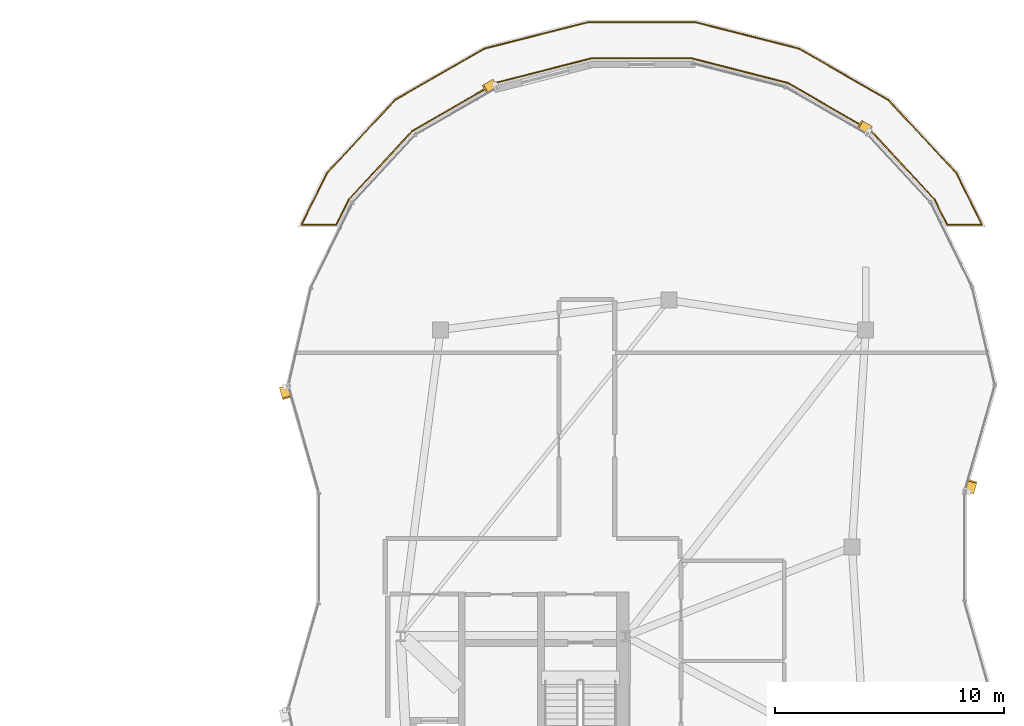
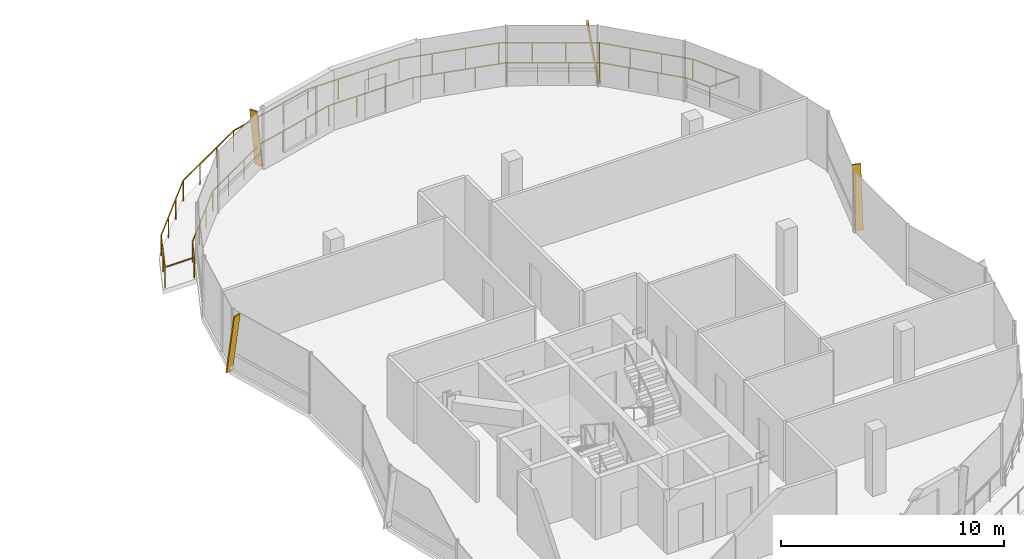
# One storey, part 20 of 20: 10 railings, 4 shading devices.
"""IFC4 building model written with IfcOpenShell, lengths in metres."""

import ifcopenshell
import ifcopenshell.guid

model = None  # the IFC model being written
_history = None  # IfcOwnerHistory: only IFC2X3 demands one
_inside = {}  # id of a spatial element -> (the spatial element, [elements in it])
_under = {}  # id of a project, library or spatial element -> (it, [spatial elements below it])
_declared = {}  # id of a project -> (the project, [libraries it declares])
_typed = {}  # id of a type object -> (the type object, [elements of that type])
_made_of = {}  # id of a material, layer set ... -> (it, [elements and type objects made of it])


def new_model(schema):
    """Start an empty IFC model of exactly this schema.

    Asked for "IFC4X3", IfcOpenShell would pick the latest addendum, in which some entities
    have other attributes; the version numbers below select the first issue.
    IFC2X3 requires an IfcOwnerHistory on every rooted entity: one is made here for all.
    """
    global model, _history
    if schema == "IFC4X3":
        model = ifcopenshell.file(schema_version=(4, 3, 0, 0))
    else:
        model = ifcopenshell.file(schema=schema)
    _inside.clear()
    _under.clear()
    _declared.clear()
    _typed.clear()
    _made_of.clear()
    _history = None
    if model.schema == "IFC2X3":
        org = make("IfcOrganization", Name="unknown")
        user = make(
            "IfcPersonAndOrganization",
            ThePerson=make("IfcPerson", FamilyName="unknown"),
            TheOrganization=org,
        )
        app = make(
            "IfcApplication",
            ApplicationDeveloper=org,
            Version="unknown",
            ApplicationFullName="unknown",
            ApplicationIdentifier="unknown",
        )
        _history = make(
            "IfcOwnerHistory",
            OwningUser=user,
            OwningApplication=app,
            ChangeAction="ADDED",
            CreationDate=0,
        )
    return model


def make(cls, **values):
    """One entity of the class cls with the attributes given. An attribute that is None is left unset."""
    return model.create_entity(
        cls, **{name: value for name, value in values.items() if value is not None}
    )


def rooted(cls, **values):
    """An entity with a GlobalId (a new one), such as an element, a storey or a relation."""
    return make(cls, GlobalId=ifcopenshell.guid.new(), OwnerHistory=_history, **values)


def si_unit(unit_type, name, prefix=None):
    """IfcSIUnit, for example si_unit("LENGTHUNIT", "METRE", prefix="MILLI")."""
    return make("IfcSIUnit", UnitType=unit_type, Prefix=prefix, Name=name)


def assignment(units):
    """IfcUnitAssignment: the units of a project."""
    return None if units is None else make("IfcUnitAssignment", Units=units)


def point(xyz):
    """IfcCartesianPoint."""
    return None if xyz is None else make("IfcCartesianPoint", Coordinates=xyz)


def direction(xyz):
    """IfcDirection."""
    return None if xyz is None else make("IfcDirection", DirectionRatios=xyz)


def frame(location, z_axis=None, x_axis=None):
    """IfcAxis2Placement3D, a coordinate frame: its origin and axes. An axis left out is left unset."""
    return make(
        "IfcAxis2Placement3D",
        Location=point(location),
        Axis=direction(z_axis),
        RefDirection=direction(x_axis),
    )


def frame_2d(location, x_axis=None):
    """IfcAxis2Placement2D, a coordinate frame in the plane: its origin and x axis."""
    return make(
        "IfcAxis2Placement2D", Location=point(location), RefDirection=direction(x_axis)
    )


def origin():
    """The frame at (0, 0, 0) with its axes left unset."""
    return frame((0.0, 0.0, 0.0))


def origin_2d():
    """The frame at (0, 0) in the plane with its x axis left unset."""
    return frame_2d((0.0, 0.0))


def place(relative_to, where):
    """IfcLocalPlacement: puts the frame where relative to a parent placement (None: the world)."""
    return make(
        "IfcLocalPlacement", PlacementRelTo=relative_to, RelativePlacement=where
    )


def context(
    kind, dimensions, precision=None, world=None, true_north=None, identifier=None
):
    """IfcGeometricRepresentationContext, for example the 3D "Model" context."""
    return make(
        "IfcGeometricRepresentationContext",
        ContextIdentifier=identifier,
        ContextType=kind,
        CoordinateSpaceDimension=dimensions,
        Precision=precision,
        WorldCoordinateSystem=world,
        TrueNorth=true_north,
    )


def subcontext(parent, identifier, kind, view, scale=None):
    """IfcGeometricRepresentationSubContext, for example "Body" below "Model"."""
    return make(
        "IfcGeometricRepresentationSubContext",
        ContextIdentifier=identifier,
        ContextType=kind,
        ParentContext=parent,
        TargetScale=scale,
        TargetView=view,
    )


def project(units=None, contexts=None):
    """IfcProject with its units and contexts."""
    return rooted(
        "IfcProject",
        Name="project",
        RepresentationContexts=contexts,
        UnitsInContext=assignment(units),
    )


def spatial(cls, under=None, at=None, **own):
    """A site, building, storey or space (cls), placed at a placement, below another one or the project."""
    s = rooted(cls, ObjectPlacement=at, **own)
    if under is not None:
        _under.setdefault(under.id(), (under, []))[1].append(s)
    return s


def profile(cls, at=None, kind="AREA", **sizes):
    """A parametric profile (cls). Its sizes go by their IFC names, for example OverallWidth=200.0."""
    return make(cls, ProfileType=kind, Position=at, **sizes)


def rectangle(**sizes):
    """IfcRectangleProfileDef."""
    return profile("IfcRectangleProfileDef", **sizes)


def extrude(swept, where, along, depth):
    """IfcExtrudedAreaSolid: the profile swept, set in the frame where, extruded along a direction by depth."""
    return make(
        "IfcExtrudedAreaSolid",
        SweptArea=swept,
        Position=where,
        ExtrudedDirection=direction(along),
        Depth=depth,
    )


def shape(context_of_items, identifier, shape_type, items):
    """IfcShapeRepresentation: the items that make up one representation, for example the "Body"."""
    return make(
        "IfcShapeRepresentation",
        ContextOfItems=context_of_items,
        RepresentationIdentifier=identifier,
        RepresentationType=shape_type,
        Items=items,
    )


def material(Name=None, Category=None):
    """IfcMaterial."""
    return make("IfcMaterial", Name=Name, Category=Category)


def material_profile(
    of_material, cross_section, Name=None, Category=None, Priority=None
):
    """IfcMaterialProfile: a cross section and its material."""
    return make(
        "IfcMaterialProfile",
        Name=Name,
        Material=of_material,
        Profile=cross_section,
        Priority=Priority,
        Category=Category,
    )


def profile_set(profiles, Name=None, composite=None):
    """IfcMaterialProfileSet."""
    return make(
        "IfcMaterialProfileSet",
        Name=Name,
        MaterialProfiles=profiles,
        CompositeProfile=composite,
    )


def made_of(thing, what):
    """Note that an element or type object is made of a material, layer set ...; save() writes the relation."""
    if what is not None:
        _made_of.setdefault(what.id(), (what, []))[1].append(thing)
    return thing


def type_object(cls, material=None, **own):
    """A type object (cls), such as IfcWallType, which elements share."""
    return made_of(rooted(cls, **own), material)


def element(
    cls,
    number,
    at=None,
    inside=None,
    cuts=None,
    type_object=None,
    material=None,
    context=None,
    identifier="Body",
    shape_type=None,
    held_by="IfcProductDefinitionShape",
    body=None,
    shapes=None,
    **own,
):
    """One element of the class cls, such as IfcWall. Its Tag is "e" and its number.

    at: its placement. inside: the storey or other place that contains it. cuts: it is an
    opening in that element (IfcRelVoidsElement). A single representation is given by context,
    identifier, shape_type and body (its items); several are given by shapes. held_by: the class
    of the entity that holds the representations. save() writes the other relations.
    """
    e = rooted(cls, Tag="e%d" % number, ObjectPlacement=at, **own)
    if body is not None:
        shapes = [shape(context, identifier, shape_type, body)]
    if shapes is not None:
        e.Representation = make(held_by, Representations=shapes)
    if inside is not None:
        _inside.setdefault(inside.id(), (inside, []))[1].append(e)
    if cuts is not None:
        rooted(
            "IfcRelVoidsElement", RelatingBuildingElement=cuts, RelatedOpeningElement=e
        )
    if type_object is not None:
        _typed.setdefault(type_object.id(), (type_object, []))[1].append(e)
    return made_of(e, material)


def aggregate(whole, parts):
    """IfcRelAggregates: a whole, such as a stair, and the parts it consists of."""
    return rooted("IfcRelAggregates", RelatingObject=whole, RelatedObjects=parts)


def save(model, path):
    """Write the relations noted so far, then the file.

    IfcRelAggregates (storeys below a building ...), IfcRelContainedInSpatialStructure (elements
    in a storey), IfcRelDefinesByType, IfcRelAssociatesMaterial and IfcRelDeclares: one each for
    every whole, place, type object, material and project.
    """
    for whole, parts in _under.values():
        aggregate(whole, parts)
    for where, things in _inside.values():
        rooted(
            "IfcRelContainedInSpatialStructure",
            RelatedElements=things,
            RelatingStructure=where,
        )
    for kind, things in _typed.values():
        rooted("IfcRelDefinesByType", RelatedObjects=things, RelatingType=kind)
    for what, things in _made_of.values():
        rooted("IfcRelAssociatesMaterial", RelatedObjects=things, RelatingMaterial=what)
    for by, libraries in _declared.values():
        rooted("IfcRelDeclares", RelatingContext=by, RelatedDefinitions=libraries)
    model.write(path)


model = new_model("IFC4")

# Units and contexts
model_context = context("Model", 3, precision=1e-05, world=origin(), true_north=direction((0.0, 1.0)))
body_context = subcontext(model_context, "Body", "Model", "MODEL_VIEW")
ifc_project = project(units=[si_unit("LENGTHUNIT", "METRE"), si_unit("AREAUNIT", "SQUARE_METRE"), si_unit("VOLUMEUNIT", "CUBIC_METRE"), si_unit("PLANEANGLEUNIT", "RADIAN"), si_unit("MASSUNIT", "GRAM", prefix="KILO"), si_unit("THERMODYNAMICTEMPERATUREUNIT", "KELVIN"), si_unit("POWERUNIT", "WATT")], contexts=[model_context])

# Site, building, storey
site_placement = place(None, origin())
site = spatial("IfcSite", under=ifc_project, at=site_placement, CompositionType="ELEMENT")
building_placement = place(site_placement, origin())
building = spatial("IfcBuilding", under=site, at=building_placement, Name="Cundina Bronze Exchange", CompositionType="ELEMENT")
storey_placement = place(building_placement, frame((0.0, 0.0, 279.199951171875)))
storey = spatial("IfcBuildingStorey", under=building, at=storey_placement, Name="L74", CompositionType="ELEMENT", Elevation=279.199951171875)

# Railings
ifc_material = material(Name="Anodised Bronze Aluminium 6063-T6", Category="aluminium")
railing_type = type_object("IfcRailingType", Name="RLG-GRD-1150", PredefinedType="GUARDRAIL", material=ifc_material)
railing_1_placement = place(storey_placement, frame((18.224365234375, 16.34765625, 0.0)))
element("IfcRailing", 1, at=railing_1_placement, inside=storey, type_object=railing_type, Name="L74 Perimeter Safety Guardrail 01", PredefinedType="GUARDRAIL", context=body_context, shape_type="SweptSolid", body=[
    extrude(rectangle(XDim=0.048095703125, YDim=0.048095703125, at=origin_2d()), frame((0.0, 0.0, 1.1259765625), z_axis=(0.6814708466, 0.731845260444, 0.0), x_axis=(-0.731845260444, 0.6814708466, 0.0)), (0.0, 0.0, 1.0), 4.395751953125),
    extrude(rectangle(XDim=0.048095703125, YDim=0.048095703125, at=origin_2d()), frame((2.99560546875, 3.217041015625, 1.1259765625), z_axis=(0.867447732917, 0.497528321462, 0.0), x_axis=(-0.497528321462, 0.867447732917, 0.0)), (0.0, 0.0, 1.0), 4.501708984375),
    extrude(rectangle(XDim=0.0419921875, YDim=0.0419921875, at=origin_2d()), origin(), (0.0, 0.0, 1.0), 1.101806640625),
    extrude(rectangle(XDim=0.0419921875, YDim=0.0419921875, at=origin_2d()), frame((0.99853515625, 1.072265625, 0.0)), (0.0, 0.0, 1.0), 1.101806640625),
    extrude(rectangle(XDim=0.0419921875, YDim=0.0419921875, at=origin_2d()), frame((1.9970703125, 2.144775390625, 0.0)), (0.0, 0.0, 1.0), 1.101806640625),
    extrude(rectangle(XDim=0.0419921875, YDim=0.0419921875, at=origin_2d()), frame((2.99560546875, 3.217041015625, 0.0)), (0.0, 0.0, 1.0), 1.101806640625),
    extrude(rectangle(XDim=0.0419921875, YDim=0.0419921875, at=origin_2d()), frame((4.29736328125, 3.963623046875, 0.0)), (0.0, 0.0, 1.0), 1.101806640625),
    extrude(rectangle(XDim=0.0419921875, YDim=0.0419921875, at=origin_2d()), frame((5.598876953125, 4.710205078125, 0.0)), (0.0, 0.0, 1.0), 1.101806640625),
    extrude(rectangle(XDim=0.0419921875, YDim=0.0419921875, at=origin_2d()), frame((6.900634765625, 5.456787109375, 0.0)), (0.0, 0.0, 1.0), 1.101806640625),
])
railing_2_placement = place(storey_placement, frame((25.125, 21.804443359375, 0.0)))
element("IfcRailing", 2, at=railing_2_placement, inside=storey, type_object=railing_type, Name="L74 Perimeter Safety Guardrail 02", PredefinedType="GUARDRAIL", context=body_context, shape_type="SweptSolid", body=[
    extrude(rectangle(XDim=0.048095703125, YDim=0.048095703125, at=origin_2d()), frame((0.0, 0.0, 1.1259765625), z_axis=(0.969056834208, 0.246837703916, 0.0), x_axis=(-0.246837703916, 0.969056834208, 0.0)), (0.0, 0.0, 1.0), 4.657470703125),
    extrude(rectangle(XDim=0.048095703125, YDim=0.048095703125, at=origin_2d()), frame((4.513427734375, 1.149658203125, 1.1259765625), z_axis=(1.0, 0.0, 0.0), x_axis=(0.0, 1.0, 0.0)), (0.0, 0.0, 1.0), 4.72314453125),
    extrude(rectangle(XDim=0.0419921875, YDim=0.0419921875, at=origin_2d()), origin(), (0.0, 0.0, 1.0), 1.101806640625),
    extrude(rectangle(XDim=0.0419921875, YDim=0.0419921875, at=origin_2d()), frame((1.50439453125, 0.38330078125, 0.0)), (0.0, 0.0, 1.0), 1.101806640625),
    extrude(rectangle(XDim=0.0419921875, YDim=0.0419921875, at=origin_2d()), frame((3.009033203125, 0.766357421875, 0.0)), (0.0, 0.0, 1.0), 1.101806640625),
    extrude(rectangle(XDim=0.0419921875, YDim=0.0419921875, at=origin_2d()), frame((4.513427734375, 1.149658203125, 0.0)), (0.0, 0.0, 1.0), 1.101806640625),
    extrude(rectangle(XDim=0.0419921875, YDim=0.0419921875, at=origin_2d()), frame((6.087890625, 1.149658203125, 0.0)), (0.0, 0.0, 1.0), 1.101806640625),
    extrude(rectangle(XDim=0.0419921875, YDim=0.0419921875, at=origin_2d()), frame((7.662109375, 1.149658203125, 0.0)), (0.0, 0.0, 1.0), 1.101806640625),
    extrude(rectangle(XDim=0.0419921875, YDim=0.0419921875, at=origin_2d()), frame((9.236572265625, 1.149658203125, 0.0)), (0.0, 0.0, 1.0), 1.101806640625),
])
railing_3_placement = place(storey_placement, frame((34.361572265625, 22.9541015625, 0.0)))
element("IfcRailing", 3, at=railing_3_placement, inside=storey, type_object=railing_type, Name="L74 Perimeter Safety Guardrail 03", PredefinedType="GUARDRAIL", context=body_context, shape_type="SweptSolid", body=[
    extrude(rectangle(XDim=0.048095703125, YDim=0.048095703125, at=origin_2d()), frame((0.0, 0.0, 1.1259765625), z_axis=(0.969056834208, -0.246837703916, 0.0), x_axis=(0.246837703916, 0.969056834208, 0.0)), (0.0, 0.0, 1.0), 4.657470703125),
    extrude(rectangle(XDim=0.048095703125, YDim=0.048095703125, at=origin_2d()), frame((4.513427734375, -1.149658203125, 1.1259765625), z_axis=(0.867447732917, -0.497528321462, 0.0), x_axis=(0.497528321462, 0.867447732917, 0.0)), (0.0, 0.0, 1.0), 4.501708984375),
    extrude(rectangle(XDim=0.0419921875, YDim=0.0419921875, at=origin_2d()), origin(), (0.0, 0.0, 1.0), 1.101806640625),
    extrude(rectangle(XDim=0.0419921875, YDim=0.0419921875, at=origin_2d()), frame((1.50439453125, -0.38330078125, 0.0)), (0.0, 0.0, 1.0), 1.101806640625),
    extrude(rectangle(XDim=0.0419921875, YDim=0.0419921875, at=origin_2d()), frame((3.009033203125, -0.766357421875, 0.0)), (0.0, 0.0, 1.0), 1.101806640625),
    extrude(rectangle(XDim=0.0419921875, YDim=0.0419921875, at=origin_2d()), frame((4.513427734375, -1.149658203125, 0.0)), (0.0, 0.0, 1.0), 1.101806640625),
    extrude(rectangle(XDim=0.0419921875, YDim=0.0419921875, at=origin_2d()), frame((5.815185546875, -1.896240234375, 0.0)), (0.0, 0.0, 1.0), 1.101806640625),
    extrude(rectangle(XDim=0.0419921875, YDim=0.0419921875, at=origin_2d()), frame((7.11669921875, -2.642822265625, 0.0)), (0.0, 0.0, 1.0), 1.101806640625),
    extrude(rectangle(XDim=0.0419921875, YDim=0.0419921875, at=origin_2d()), frame((8.41845703125, -3.389404296875, 0.0)), (0.0, 0.0, 1.0), 1.101806640625),
])
railing_4_placement = place(storey_placement, frame((42.780029296875, 19.564697265625, 0.0)))
element("IfcRailing", 4, at=railing_4_placement, inside=storey, type_object=railing_type, Name="L74 Perimeter Safety Guardrail 04", PredefinedType="GUARDRAIL", context=body_context, shape_type="SweptSolid", body=[
    extrude(rectangle(XDim=0.048095703125, YDim=0.048095703125, at=origin_2d()), frame((0.0, 0.0, 1.1259765625), z_axis=(0.6814708466, -0.731845260444, 0.0), x_axis=(0.731845260444, 0.6814708466, 0.0)), (0.0, 0.0, 1.0), 4.395751953125),
    extrude(rectangle(XDim=0.048095703125, YDim=0.048095703125, at=origin_2d()), frame((2.99560546875, -3.217041015625, 1.1259765625), z_axis=(0.439469116008, -0.898257700259, 0.0), x_axis=(0.898257700259, 0.439469116008, 0.0)), (0.0, 0.0, 1.0), 2.502197265625),
    extrude(rectangle(XDim=0.0419921875, YDim=0.0419921875, at=origin_2d()), origin(), (0.0, 0.0, 1.0), 1.101806640625),
    extrude(rectangle(XDim=0.0419921875, YDim=0.0419921875, at=origin_2d()), frame((0.99853515625, -1.072265625, 0.0)), (0.0, 0.0, 1.0), 1.101806640625),
    extrude(rectangle(XDim=0.0419921875, YDim=0.0419921875, at=origin_2d()), frame((1.9970703125, -2.144775390625, 0.0)), (0.0, 0.0, 1.0), 1.101806640625),
    extrude(rectangle(XDim=0.0419921875, YDim=0.0419921875, at=origin_2d()), frame((2.99560546875, -3.217041015625, 0.0)), (0.0, 0.0, 1.0), 1.101806640625),
    extrude(rectangle(XDim=0.0419921875, YDim=0.0419921875, at=origin_2d()), frame((3.54541015625, -4.3408203125, 0.0)), (0.0, 0.0, 1.0), 1.101806640625),
    extrude(rectangle(XDim=0.0419921875, YDim=0.0419921875, at=origin_2d()), frame((4.09521484375, -5.464599609375, 0.0)), (0.0, 0.0, 1.0), 1.101806640625),
])
railing_5_placement = place(storey_placement, frame((46.875244140625, 14.10009765625, 0.0)))
element("IfcRailing", 5, at=railing_5_placement, inside=storey, type_object=railing_type, Name="L74 Perimeter Safety Guardrail 05", PredefinedType="GUARDRAIL", context=body_context, shape_type="SweptSolid", body=[
    extrude(rectangle(XDim=0.048095703125, YDim=0.048095703125, at=origin_2d()), frame((0.0, 0.0, 1.1259765625), z_axis=(-1.0, 0.0, 0.0), x_axis=(0.0, -1.0, 0.0)), (0.0, 0.0, 1.0), 1.5185546875),
    extrude(rectangle(XDim=0.048095703125, YDim=0.048095703125, at=origin_2d()), frame((-1.5185546875, 0.0, 1.1259765625), z_axis=(-0.441657034824, 0.89718396307, 0.0), x_axis=(-0.89718396307, -0.441657034824, 0.0)), (0.0, 0.0, 1.0), 1.232177734375),
    extrude(rectangle(XDim=0.0419921875, YDim=0.0419921875, at=origin_2d()), origin(), (0.0, 0.0, 1.0), 1.101806640625),
    extrude(rectangle(XDim=0.0419921875, YDim=0.0419921875, at=origin_2d()), frame((-1.5185546875, 0.0, 0.0)), (0.0, 0.0, 1.0), 1.101806640625),
    extrude(rectangle(XDim=0.0419921875, YDim=0.0419921875, at=origin_2d()), frame((-2.062744140625, 1.10546875, 0.0)), (0.0, 0.0, 1.0), 1.101806640625),
])
railing_6_placement = place(storey_placement, frame((44.8125, 15.20556640625, 0.0)))
element("IfcRailing", 6, at=railing_6_placement, inside=storey, type_object=railing_type, Name="L74 Perimeter Safety Guardrail 06", PredefinedType="GUARDRAIL", context=body_context, shape_type="SweptSolid", body=[
    extrude(rectangle(XDim=0.048095703125, YDim=0.048095703125, at=origin_2d()), frame((0.0, 0.0, 1.1259765625), z_axis=(-0.680512906309, 0.732736094611, 0.0), x_axis=(-0.732736094611, -0.680512906309, 0.0)), (0.0, 0.0, 1.0), 4.090576171875),
    extrude(rectangle(XDim=0.048095703125, YDim=0.048095703125, at=origin_2d()), frame((-2.78369140625, 2.997314453125, 1.1259765625), z_axis=(-0.866055627774, 0.49994764686, 0.0), x_axis=(-0.49994764686, -0.866055627774, 0.0)), (0.0, 0.0, 1.0), 4.19189453125),
    extrude(rectangle(XDim=0.0419921875, YDim=0.0419921875, at=origin_2d()), origin(), (0.0, 0.0, 1.0), 1.101806640625),
    extrude(rectangle(XDim=0.0419921875, YDim=0.0419921875, at=origin_2d()), frame((-0.927978515625, 0.9990234375, 0.0)), (0.0, 0.0, 1.0), 1.101806640625),
    extrude(rectangle(XDim=0.0419921875, YDim=0.0419921875, at=origin_2d()), frame((-1.855712890625, 1.998291015625, 0.0)), (0.0, 0.0, 1.0), 1.101806640625),
    extrude(rectangle(XDim=0.0419921875, YDim=0.0419921875, at=origin_2d()), frame((-2.78369140625, 2.997314453125, 0.0)), (0.0, 0.0, 1.0), 1.101806640625),
    extrude(rectangle(XDim=0.0419921875, YDim=0.0419921875, at=origin_2d()), frame((-3.993896484375, 3.69580078125, 0.0)), (0.0, 0.0, 1.0), 1.101806640625),
    extrude(rectangle(XDim=0.0419921875, YDim=0.0419921875, at=origin_2d()), frame((-5.203857421875, 4.39453125, 0.0)), (0.0, 0.0, 1.0), 1.101806640625),
    extrude(rectangle(XDim=0.0419921875, YDim=0.0419921875, at=origin_2d()), frame((-6.4140625, 5.093017578125, 0.0)), (0.0, 0.0, 1.0), 1.101806640625),
])
railing_7_placement = place(storey_placement, frame((38.3984375, 20.298583984375, 0.0)))
element("IfcRailing", 7, at=railing_7_placement, inside=storey, type_object=railing_type, Name="L74 Perimeter Safety Guardrail 07", PredefinedType="GUARDRAIL", context=body_context, shape_type="SweptSolid", body=[
    extrude(rectangle(XDim=0.048095703125, YDim=0.048095703125, at=origin_2d()), frame((0.0, 0.0, 1.1259765625), z_axis=(-0.968635825171, 0.248484684025, 0.0), x_axis=(-0.248484684025, -0.968635825171, 0.0)), (0.0, 0.0, 1.0), 4.3515625),
    extrude(rectangle(XDim=0.048095703125, YDim=0.048095703125, at=origin_2d()), frame((-4.215087890625, 1.081298828125, 1.1259765625), z_axis=(-0.999999985988, -0.00016740137, 0.0), x_axis=(0.00016740137, -0.999999985988, 0.0)), (0.0, 0.0, 1.0), 4.375244140625),
    extrude(rectangle(XDim=0.0419921875, YDim=0.0419921875, at=origin_2d()), origin(), (0.0, 0.0, 1.0), 1.101806640625),
    extrude(rectangle(XDim=0.0419921875, YDim=0.0419921875, at=origin_2d()), frame((-1.405029296875, 0.3603515625, 0.0)), (0.0, 0.0, 1.0), 1.101806640625),
    extrude(rectangle(XDim=0.0419921875, YDim=0.0419921875, at=origin_2d()), frame((-2.81005859375, 0.720947265625, 0.0)), (0.0, 0.0, 1.0), 1.101806640625),
    extrude(rectangle(XDim=0.0419921875, YDim=0.0419921875, at=origin_2d()), frame((-4.215087890625, 1.081298828125, 0.0)), (0.0, 0.0, 1.0), 1.101806640625),
    extrude(rectangle(XDim=0.0419921875, YDim=0.0419921875, at=origin_2d()), frame((-5.673583984375, 1.0810546875, 0.0)), (0.0, 0.0, 1.0), 1.101806640625),
    extrude(rectangle(XDim=0.0419921875, YDim=0.0419921875, at=origin_2d()), frame((-7.1318359375, 1.080810546875, 0.0)), (0.0, 0.0, 1.0), 1.101806640625),
    extrude(rectangle(XDim=0.0419921875, YDim=0.0419921875, at=origin_2d()), frame((-8.59033203125, 1.08056640625, 0.0)), (0.0, 0.0, 1.0), 1.101806640625),
])
railing_8_placement = place(storey_placement, frame((29.80810546875, 21.379150390625, 0.0)))
element("IfcRailing", 8, at=railing_8_placement, inside=storey, type_object=railing_type, Name="L74 Perimeter Safety Guardrail 08", PredefinedType="GUARDRAIL", context=body_context, shape_type="SweptSolid", body=[
    extrude(rectangle(XDim=0.048095703125, YDim=0.048095703125, at=origin_2d()), frame((0.0, 0.0, 1.1259765625), z_axis=(-0.968729595543, -0.248118864093, 0.0), x_axis=(0.248118864093, -0.968729595543, 0.0)), (0.0, 0.0, 1.0), 4.328369140625),
    extrude(rectangle(XDim=0.048095703125, YDim=0.048095703125, at=origin_2d()), frame((-4.193115234375, -1.073974609375, 1.1259765625), z_axis=(-0.86617495788, -0.499740875196, 0.0), x_axis=(0.499740875196, -0.86617495788, 0.0)), (0.0, 0.0, 1.0), 4.206787109375),
    extrude(rectangle(XDim=0.0419921875, YDim=0.0419921875, at=origin_2d()), origin(), (0.0, 0.0, 1.0), 1.101806640625),
    extrude(rectangle(XDim=0.0419921875, YDim=0.0419921875, at=origin_2d()), frame((-1.397705078125, -0.35791015625, 0.0)), (0.0, 0.0, 1.0), 1.101806640625),
    extrude(rectangle(XDim=0.0419921875, YDim=0.0419921875, at=origin_2d()), frame((-2.79541015625, -0.716064453125, 0.0)), (0.0, 0.0, 1.0), 1.101806640625),
    extrude(rectangle(XDim=0.0419921875, YDim=0.0419921875, at=origin_2d()), frame((-4.193115234375, -1.073974609375, 0.0)), (0.0, 0.0, 1.0), 1.101806640625),
    extrude(rectangle(XDim=0.0419921875, YDim=0.0419921875, at=origin_2d()), frame((-5.40771484375, -1.774658203125, 0.0)), (0.0, 0.0, 1.0), 1.101806640625),
    extrude(rectangle(XDim=0.0419921875, YDim=0.0419921875, at=origin_2d()), frame((-6.622314453125, -2.4755859375, 0.0)), (0.0, 0.0, 1.0), 1.101806640625),
    extrude(rectangle(XDim=0.0419921875, YDim=0.0419921875, at=origin_2d()), frame((-7.8369140625, -3.17626953125, 0.0)), (0.0, 0.0, 1.0), 1.101806640625),
])
railing_9_placement = place(storey_placement, frame((21.97119140625, 18.202880859375, 0.0)))
element("IfcRailing", 9, at=railing_9_placement, inside=storey, type_object=railing_type, Name="L74 Perimeter Safety Guardrail 09", PredefinedType="GUARDRAIL", context=body_context, shape_type="SweptSolid", body=[
    extrude(rectangle(XDim=0.048095703125, YDim=0.048095703125, at=origin_2d()), frame((0.0, 0.0, 1.1259765625), z_axis=(-0.680512906309, -0.732736094611, 0.0), x_axis=(0.732736094611, -0.680512906309, 0.0)), (0.0, 0.0, 1.0), 4.090576171875),
    extrude(rectangle(XDim=0.048095703125, YDim=0.048095703125, at=origin_2d()), frame((-2.78369140625, -2.997314453125, 1.1259765625), z_axis=(-0.441657034824, -0.89718396307, 0.0), x_axis=(0.89718396307, -0.441657034824, 0.0)), (0.0, 0.0, 1.0), 1.232177734375),
    extrude(rectangle(XDim=0.0419921875, YDim=0.0419921875, at=origin_2d()), origin(), (0.0, 0.0, 1.0), 1.101806640625),
    extrude(rectangle(XDim=0.0419921875, YDim=0.0419921875, at=origin_2d()), frame((-0.927978515625, -0.9990234375, 0.0)), (0.0, 0.0, 1.0), 1.101806640625),
    extrude(rectangle(XDim=0.0419921875, YDim=0.0419921875, at=origin_2d()), frame((-1.855712890625, -1.998291015625, 0.0)), (0.0, 0.0, 1.0), 1.101806640625),
    extrude(rectangle(XDim=0.0419921875, YDim=0.0419921875, at=origin_2d()), frame((-2.78369140625, -2.997314453125, 0.0)), (0.0, 0.0, 1.0), 1.101806640625),
    extrude(rectangle(XDim=0.0419921875, YDim=0.0419921875, at=origin_2d()), frame((-3.327880859375, -4.102783203125, 0.0)), (0.0, 0.0, 1.0), 1.101806640625),
])
railing_10_placement = place(storey_placement, frame((18.643310546875, 14.10009765625, 0.0)))
element("IfcRailing", 10, at=railing_10_placement, inside=storey, type_object=railing_type, Name="L74 Perimeter Safety Guardrail 10", PredefinedType="GUARDRAIL", context=body_context, shape_type="SweptSolid", body=[
    extrude(rectangle(XDim=0.048095703125, YDim=0.048095703125, at=origin_2d()), frame((0.0, 0.0, 1.1259765625), z_axis=(-1.0, 0.0, 0.0), x_axis=(0.0, -1.0, 0.0)), (0.0, 0.0, 1.0), 1.5185546875),
    extrude(rectangle(XDim=0.048095703125, YDim=0.048095703125, at=origin_2d()), frame((-1.5185546875, 0.0, 1.1259765625), z_axis=(0.439469116008, 0.898257700259, 0.0), x_axis=(-0.898257700259, 0.439469116008, 0.0)), (0.0, 0.0, 1.0), 2.502197265625),
    extrude(rectangle(XDim=0.0419921875, YDim=0.0419921875, at=origin_2d()), origin(), (0.0, 0.0, 1.0), 1.101806640625),
    extrude(rectangle(XDim=0.0419921875, YDim=0.0419921875, at=origin_2d()), frame((-1.5185546875, 0.0, 0.0)), (0.0, 0.0, 1.0), 1.101806640625),
    extrude(rectangle(XDim=0.0419921875, YDim=0.0419921875, at=origin_2d()), frame((-0.96875, 1.123779296875, 0.0)), (0.0, 0.0, 1.0), 1.101806640625),
    extrude(rectangle(XDim=0.0419921875, YDim=0.0419921875, at=origin_2d()), frame((-0.4189453125, 2.24755859375, 0.0)), (0.0, 0.0, 1.0), 1.101806640625),
])

# Shading devices
ifc_material_profile = material_profile(ifc_material, rectangle(XDim=0.070068359375, YDim=0.3798828125, at=origin_2d()), Name="FIN70X380", Category="aluminium")
ifc_profile_set = profile_set([ifc_material_profile], Name="Anodised Bronze Aluminium 6063-T6")
shading_device_type = type_object("IfcShadingDeviceType", Name="SHD-FIN-BRZ380", PredefinedType="USERDEFINED", material=ifc_profile_set)
for number, where, z_axis, x_axis, name in (
    (11, (46.347900390625, 2.40673828125, 0.02001953125), (0.039460377516, 0.138440767871, 0.989584272509), (-0.271261429586, -0.951679709365, 0.143954741507), "L74 Diagonal Bronze Solar Fin 1"),
    (12, (41.969482421875, 18.24658203125, 0.02001953125), (-0.124677846941, 0.071892921724, 0.989589229068), (0.857276852776, -0.494331103597, 0.143920664645), "L74 Diagonal Bronze Solar Fin 5"),
    (13, (25.559814453125, 20.2802734375, 0.02001953125), (-0.12474991864, -0.07189226532, 0.989580193813), (0.857394553809, 0.49410883324, 0.143982776795), "L74 Diagonal Bronze Solar Fin 1"),
    (14, (16.343017578125, 6.9912109375, 0.02001953125), (0.039533874131, -0.138368559458, 0.989591438195), (-0.271861676059, 0.951515866205, 0.14390547401), "L74 Diagonal Bronze Solar Fin 5"),
):
    element("IfcShadingDevice", number, at=place(storey_placement, frame(where, z_axis=z_axis, x_axis=x_axis)), inside=storey, type_object=shading_device_type, Name=name, ObjectType="FIN", PredefinedType="USERDEFINED", context=body_context, shape_type="SweptSolid", body=[
        extrude(rectangle(XDim=0.070068359375, YDim=0.3798828125, at=origin_2d()), origin(), (0.0, 0.0, 1.0), 3.334716796875),
    ])

save(model, "model.ifc")
